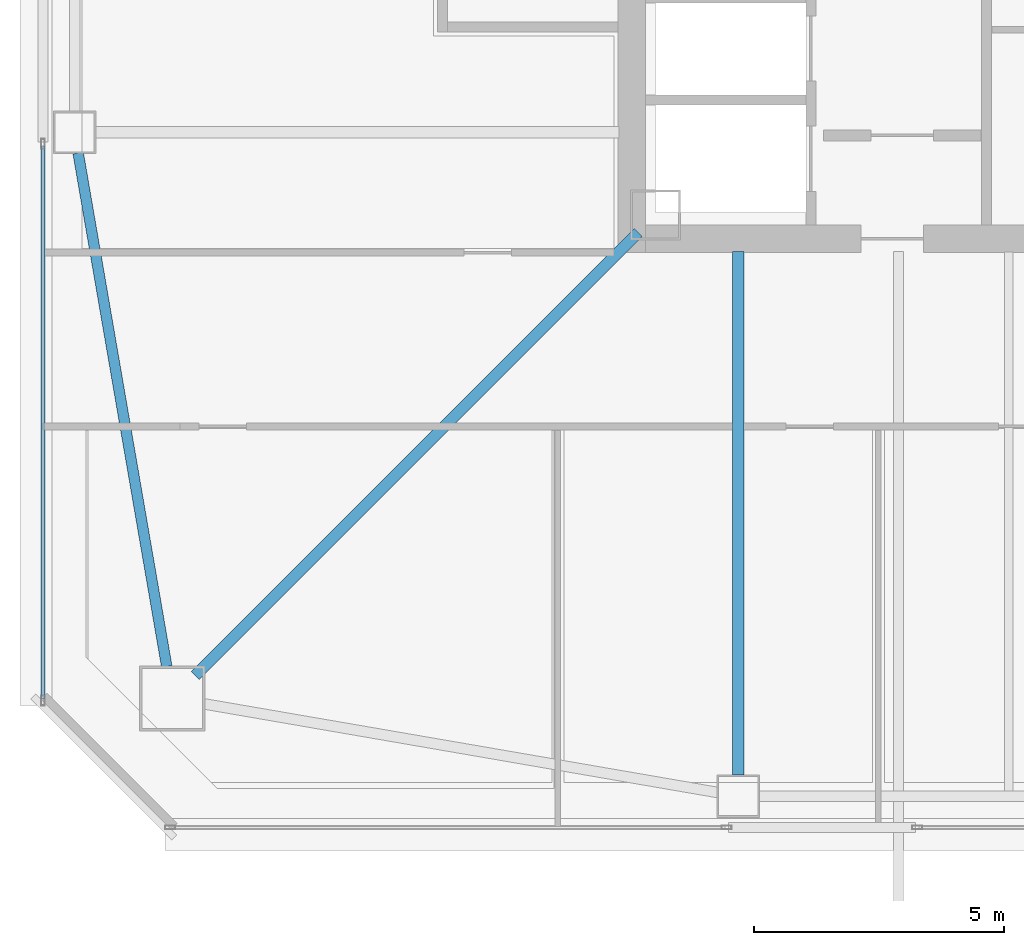
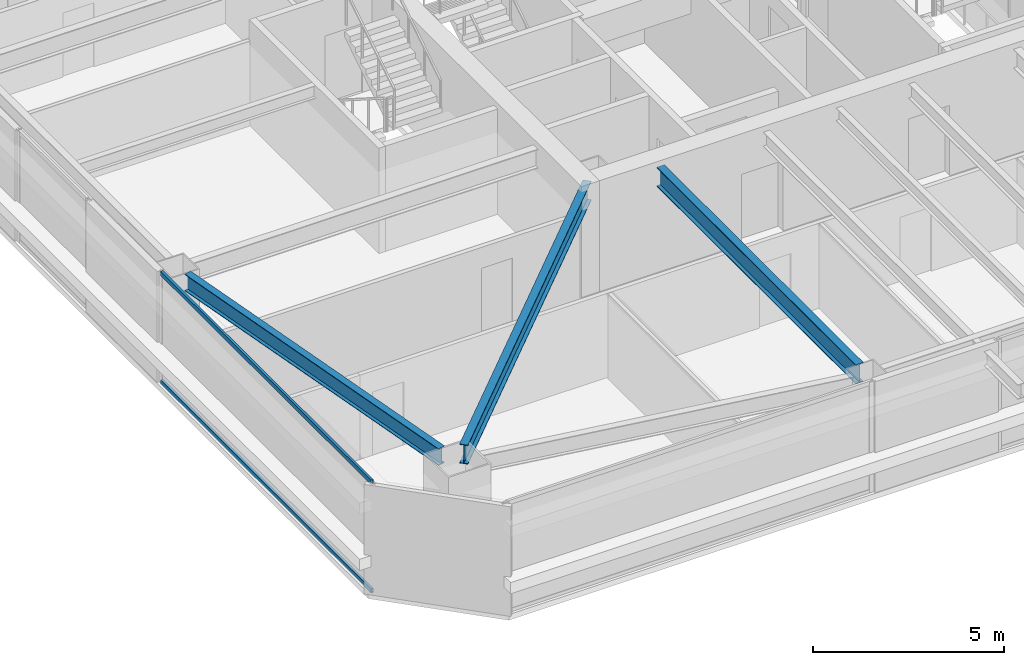
# One storey, part 4 of 42: 3 beams, 2 members, 1 element without a shape of its own.
"""IFC4 building model written with IfcOpenShell, lengths in metres."""

from ifc_helpers import new_model, si_unit, direction, frame, origin, origin_2d, place, context, subcontext, project, spatial, hollow_rectangle, i_section, extrude, material, material_profile, profile_set, type_object, element, aggregate, save


model = new_model("IFC4")

# Units and contexts
model_context = context("Model", 3, precision=1e-05, world=origin(), true_north=direction((0.0, 1.0)))
body_context = subcontext(model_context, "Body", "Model", "MODEL_VIEW")
ifc_project = project(units=[si_unit("LENGTHUNIT", "METRE"), si_unit("AREAUNIT", "SQUARE_METRE"), si_unit("VOLUMEUNIT", "CUBIC_METRE"), si_unit("PLANEANGLEUNIT", "RADIAN"), si_unit("MASSUNIT", "GRAM", prefix="KILO")], contexts=[model_context])

# Site, building, storey
site_placement = place(None, origin())
site = spatial("IfcSite", under=ifc_project, at=site_placement, CompositionType="ELEMENT")
building_placement = place(site_placement, origin())
building = spatial("IfcBuilding", under=site, at=building_placement, Name="Tashvorn Skyway Center", CompositionType="ELEMENT")
storey_placement = place(building_placement, frame((0.0, 0.0, 121.5)))
storey = spatial("IfcBuildingStorey", under=building, at=storey_placement, Name="L32", CompositionType="ELEMENT", Elevation=121.5)

# Beams
ifc_material_1 = material(Name="Steel ASTM A992 Grade 50", Category="steel")
ifc_material_profile_1 = material_profile(ifc_material_1, i_section(OverallWidth=0.22998046875, OverallDepth=0.616943359375, WebThickness=0.01318359375, FlangeThickness=0.022216796875, at=origin_2d()), Name="W24X94")
ifc_profile_set_1 = profile_set([ifc_material_profile_1], Name="Steel ASTM A992 Grade 50")
beam_type_1 = type_object("IfcBeamType", Name="BM-BEAM-W24X94", PredefinedType="BEAM", material=ifc_profile_set_1)
beam_1_placement = place(storey_placement, frame((25.756103515625, 15.756103515625, 3.0615234375), z_axis=(0.707106781187, 0.707106781187, 0.0), x_axis=(-0.707106781187, 0.707106781187, 0.0)))
element("IfcBeam", 1, at=beam_1_placement, inside=storey, type_object=beam_type_1, Name="Tower 1 L32 Primary Floor Girder MC-SW", PredefinedType="BEAM", context=body_context, shape_type="SweptSolid", body=[
    extrude(i_section(OverallWidth=0.22998046875, OverallDepth=0.616943359375, WebThickness=0.01318359375, FlangeThickness=0.022216796875, at=origin_2d()), origin(), (0.0, 0.0, 1.0), 12.50732421875),
])
beam_2_placement = place(storey_placement, frame((36.60009765625, 13.77001953125, 3.0615234375), z_axis=(0.0, 1.0, 0.0), x_axis=(-1.0, 0.0, 0.0)))
element("IfcBeam", 2, at=beam_2_placement, inside=storey, type_object=beam_type_1, Name="Tower 1 L32 Primary Floor Girder FC-S1", PredefinedType="BEAM", context=body_context, shape_type="SweptSolid", body=[
    extrude(i_section(OverallWidth=0.22998046875, OverallDepth=0.616943359375, WebThickness=0.01318359375, FlangeThickness=0.022216796875, at=origin_2d()), origin(), (0.0, 0.0, 1.0), 10.449951171875),
])
ifc_material_profile_2 = material_profile(ifc_material_1, i_section(OverallWidth=0.2109375, OverallDepth=0.5390625, WebThickness=0.01171875, FlangeThickness=0.018798828125, at=origin_2d()), Name="W21X73")
ifc_profile_set_2 = profile_set([ifc_material_profile_2], Name="Steel ASTM A992 Grade 50")
beam_type_2 = type_object("IfcBeamType", Name="BM-SPANDREL-W21X73", PredefinedType="SPANDREL", material=ifc_profile_set_2)
beam_3_placement = place(storey_placement, frame((23.42138671875, 26.18603515625, 3.1005859375), z_axis=(0.170067250846, -0.985432458462, 0.0), x_axis=(0.985432458462, 0.170067250846, 0.0)))
element("IfcBeam", 3, at=beam_3_placement, inside=storey, type_object=beam_type_2, Name="Tower 1 L32 Spandrel Beam 12", PredefinedType="SPANDREL", context=body_context, shape_type="SweptSolid", body=[
    extrude(i_section(OverallWidth=0.2109375, OverallDepth=0.5390625, WebThickness=0.01171875, FlangeThickness=0.018798828125, at=origin_2d()), origin(), (0.0, 0.0, 1.0), 10.402099609375),
])

# Curtain wall, members
ifc_material_2 = material(Name="Thermally broken bronze-anodized aluminium 6063-T6", Category="aluminium")
curtain_wall_type = type_object("IfcCurtainWallType", Name="CW-CW-Z3", PredefinedType="NOTDEFINED", material=ifc_material_2)
curtain_wall_placement = place(storey_placement, origin())
curtain_wall = element("IfcCurtainWall", 4, at=curtain_wall_placement, inside=storey, type_object=curtain_wall_type, Name="Tower 1 L32 West Unitised Curtain Wall Glazing Group 1", PredefinedType="NOTDEFINED")
ifc_material_profile_3 = material_profile(ifc_material_2, hollow_rectangle(XDim=0.074951171875, YDim=0.139892578125, WallThickness=0.004150390625, at=origin_2d()), Name="ALU-TRAN-75x140")
ifc_profile_set_3 = profile_set([ifc_material_profile_3], Name="Thermally broken bronze-anodized aluminium 6063-T6")
member_type = type_object("IfcMemberType", Name="CWT-CW-Z3", PredefinedType="USERDEFINED", material=ifc_profile_set_3)
member_1_placement = place(storey_placement, frame((22.719970703125, 15.294921875, 0.03759765625), z_axis=(0.0, 1.0, 0.0), x_axis=(-1.0, 0.0, 0.0)))
member_1 = element("IfcMember", 5, at=member_1_placement, type_object=member_type, Name="CW-Z3 transom 1.1", ObjectType="TRANSOM", PredefinedType="USERDEFINED", context=body_context, shape_type="SweptSolid", body=[
    extrude(hollow_rectangle(XDim=0.074951171875, YDim=0.139892578125, WallThickness=0.004150390625, at=origin_2d()), origin(), (0.0, 0.0, 1.0), 11.036865234375),
])
member_2_placement = place(storey_placement, frame((22.719970703125, 15.294921875, 3.512451171875), z_axis=(0.0, 1.0, 0.0), x_axis=(-1.0, 0.0, 0.0)))
member_2 = element("IfcMember", 6, at=member_2_placement, type_object=member_type, Name="CW-Z3 transom 1.2", ObjectType="TRANSOM", PredefinedType="USERDEFINED", context=body_context, shape_type="SweptSolid", body=[
    extrude(hollow_rectangle(XDim=0.074951171875, YDim=0.139892578125, WallThickness=0.004150390625, at=origin_2d()), origin(), (0.0, 0.0, 1.0), 11.036865234375),
])
aggregate(curtain_wall, [member_1, member_2])

save(model, "model.ifc")
